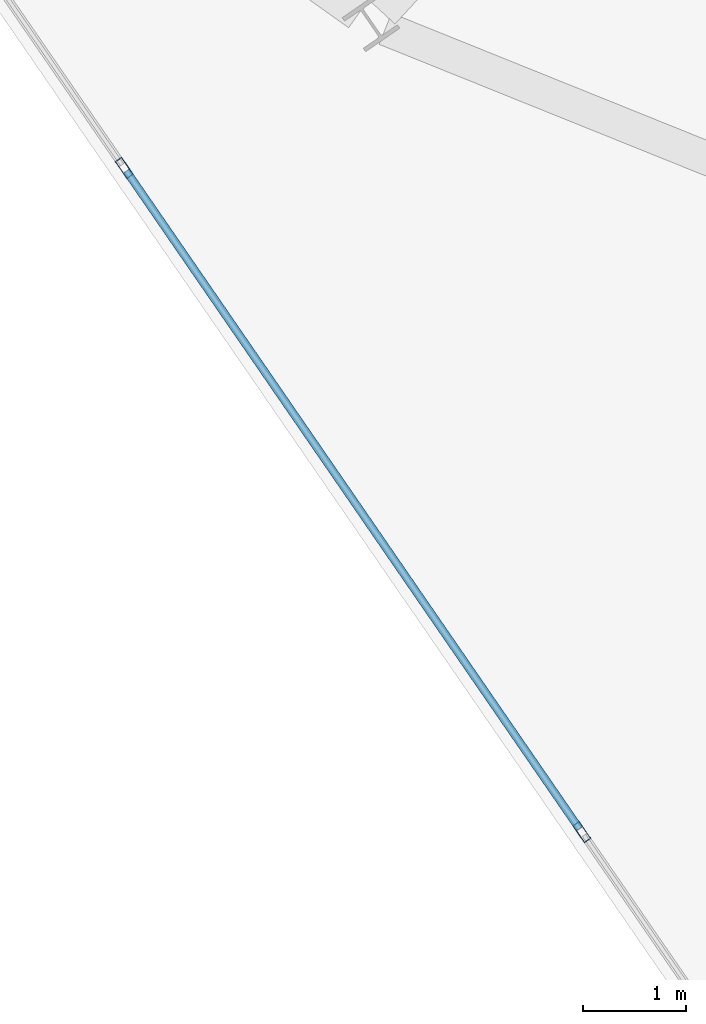
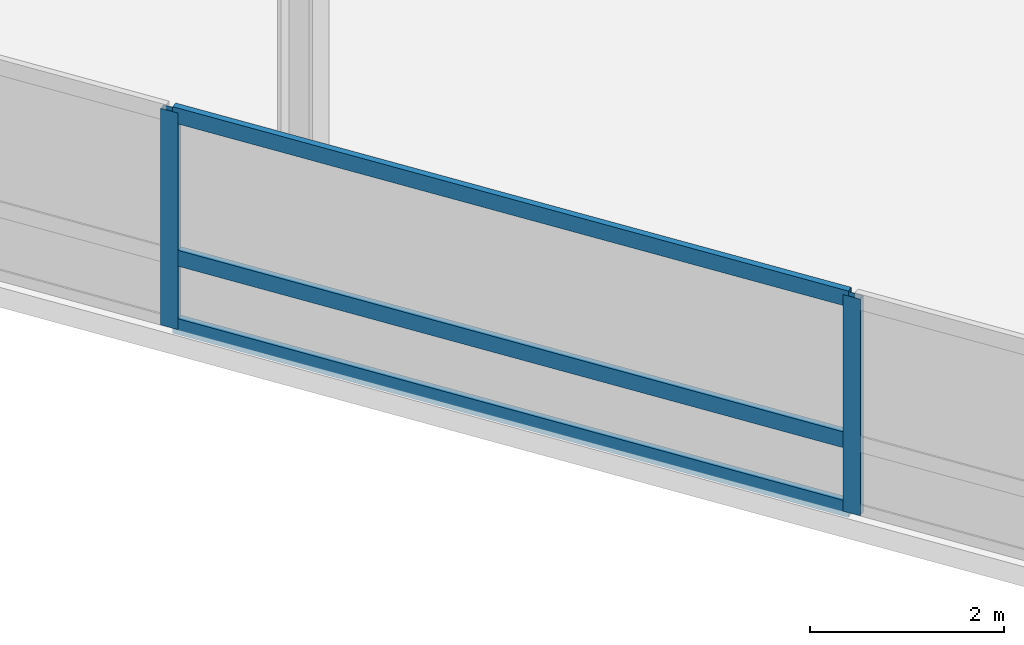
# One storey, part 3 of 23: 5 members, 1 element without a shape of its own.
"""IFC4 building model written with IfcOpenShell, lengths in metres."""

from ifc_helpers import new_model, si_unit, direction, frame, origin, origin_2d, place, context, subcontext, project, spatial, hollow_rectangle, extrude, material, layer, layer_set, material_profile, profile_set, type_object, element, aggregate, save


model = new_model("IFC4")

# Units and contexts
model_context = context("Model", 3, precision=1e-05, world=origin(), true_north=direction((0.0, 1.0)))
body_context = subcontext(model_context, "Body", "Model", "MODEL_VIEW")
ifc_project = project(units=[si_unit("LENGTHUNIT", "METRE"), si_unit("AREAUNIT", "SQUARE_METRE"), si_unit("VOLUMEUNIT", "CUBIC_METRE"), si_unit("PLANEANGLEUNIT", "RADIAN"), si_unit("MASSUNIT", "GRAM", prefix="KILO")], contexts=[model_context])

# Site, building, storey
site_placement = place(None, origin())
site = spatial("IfcSite", under=ifc_project, at=site_placement, CompositionType="ELEMENT")
building_placement = place(site_placement, origin())
building = spatial("IfcBuilding", under=site, at=building_placement, Name="Varnelok Gate Tower", CompositionType="ELEMENT")
storey_placement = place(building_placement, frame((0.0, 0.0, 273.0)))
storey = spatial("IfcBuildingStorey", under=building, at=storey_placement, Name="L70", CompositionType="ELEMENT", Elevation=273.0)

# Curtain wall, members
ifc_material = material(Name="Anodized Aluminum Alloy 6063-T6", Category="aluminium")
ifc_layer = layer(ifc_material, 0.179931640625)
ifc_layer_set = layer_set([ifc_layer], Name="Anodized Aluminum Alloy 6063-T6")
curtain_wall_type = type_object("IfcCurtainWallType", Name="CW4-RESIDENCE-VISION", PredefinedType="USERDEFINED", material=ifc_layer_set)
curtain_wall_placement = place(storey_placement, origin())
curtain_wall = element("IfcCurtainWall", 1, at=curtain_wall_placement, inside=storey, type_object=curtain_wall_type, Name="L70 West End Vision Curtain Wall", ObjectType="UNITISED CURTAIN WALL", PredefinedType="USERDEFINED")
ifc_material_profile_1 = material_profile(ifc_material, hollow_rectangle(XDim=0.074951171875, YDim=0.199951171875, WallThickness=0.00390625, at=origin_2d()), Name="ALU200X75X4")
ifc_profile_set_1 = profile_set([ifc_material_profile_1], Name="Anodized Aluminum Alloy 6063-T6")
member_type_1 = type_object("IfcMemberType", Name="CW-MULL-200", PredefinedType="MULLION", material=ifc_profile_set_1)
member_1_placement = place(storey_placement, frame((16.481201171875, 0.17919921875, 0.0), z_axis=(0.0, 0.0, 1.0), x_axis=(-0.823532290241, -0.567269395376, 0.0)))
member_1 = element("IfcMember", 2, at=member_1_placement, type_object=member_type_1, Name="CW4 mullion 2", PredefinedType="MULLION", context=body_context, shape_type="SweptSolid", body=[
    extrude(hollow_rectangle(XDim=0.074951171875, YDim=0.199951171875, WallThickness=0.00390625, at=origin_2d()), origin(), (0.0, 0.0, 1.0), 2.72998046875),
])
member_2_placement = place(storey_placement, frame((12.056396484375, 6.602783203125, 0.0), z_axis=(0.0, 0.0, 1.0), x_axis=(-0.823532290241, -0.567269395376, 0.0)))
member_2 = element("IfcMember", 3, at=member_2_placement, type_object=member_type_1, Name="CW4 mullion 3", PredefinedType="MULLION", context=body_context, shape_type="SweptSolid", body=[
    extrude(hollow_rectangle(XDim=0.074951171875, YDim=0.199951171875, WallThickness=0.00390625, at=origin_2d()), origin(), (0.0, 0.0, 1.0), 2.72998046875),
])
ifc_material_profile_2 = material_profile(ifc_material, hollow_rectangle(XDim=0.074951171875, YDim=0.199951171875, WallThickness=0.00390625, at=origin_2d()), Name="ALU200X75X4")
ifc_profile_set_2 = profile_set([ifc_material_profile_2], Name="Anodized Aluminum Alloy 6063-T6")
member_type_2 = type_object("IfcMemberType", Name="CW-TRAN-200", PredefinedType="USERDEFINED", material=ifc_profile_set_2)
member_3_placement = place(storey_placement, frame((16.459716796875, 0.210205078125, 0.03759765625), z_axis=(-0.567260941086, 0.823538113701, 0.0), x_axis=(-0.823538113701, -0.567260941086, 0.0)))
member_3 = element("IfcMember", 4, at=member_3_placement, type_object=member_type_2, Name="CW4 transom 2.1", ObjectType="TRANSOM", PredefinedType="USERDEFINED", context=body_context, shape_type="SweptSolid", body=[
    extrude(hollow_rectangle(XDim=0.074951171875, YDim=0.199951171875, WallThickness=0.00390625, at=origin_2d()), origin(), (0.0, 0.0, 1.0), 7.72509765625),
])
member_4_placement = place(storey_placement, frame((16.459716796875, 0.210205078125, 0.89990234375), z_axis=(-0.567260941086, 0.823538113701, 0.0), x_axis=(-0.823538113701, -0.567260941086, 0.0)))
member_4 = element("IfcMember", 5, at=member_4_placement, type_object=member_type_2, Name="CW4 transom 2.2", ObjectType="TRANSOM", PredefinedType="USERDEFINED", context=body_context, shape_type="SweptSolid", body=[
    extrude(hollow_rectangle(XDim=0.074951171875, YDim=0.199951171875, WallThickness=0.00390625, at=origin_2d()), origin(), (0.0, 0.0, 1.0), 7.72509765625),
])
member_5_placement = place(storey_placement, frame((16.459716796875, 0.210205078125, 2.6923828125), z_axis=(-0.567260941086, 0.823538113701, 0.0), x_axis=(-0.823538113701, -0.567260941086, 0.0)))
member_5 = element("IfcMember", 6, at=member_5_placement, type_object=member_type_2, Name="CW4 transom 2.3", ObjectType="TRANSOM", PredefinedType="USERDEFINED", context=body_context, shape_type="SweptSolid", body=[
    extrude(hollow_rectangle(XDim=0.074951171875, YDim=0.199951171875, WallThickness=0.00390625, at=origin_2d()), origin(), (0.0, 0.0, 1.0), 7.72509765625),
])
aggregate(curtain_wall, [member_1, member_2, member_3, member_4, member_5])

save(model, "model.ifc")
